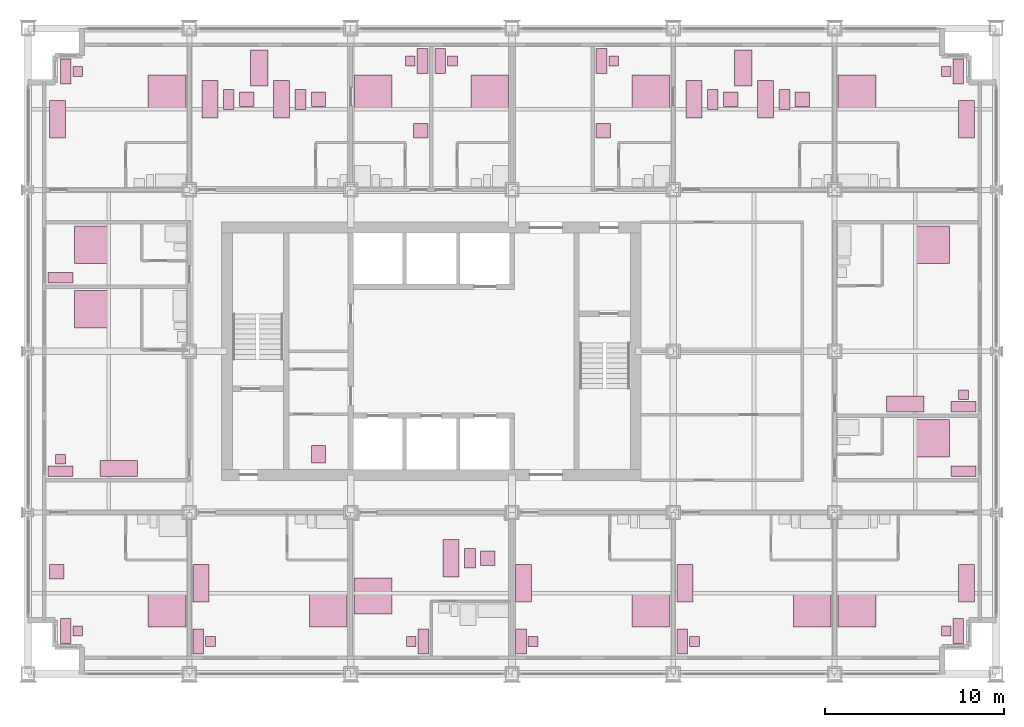
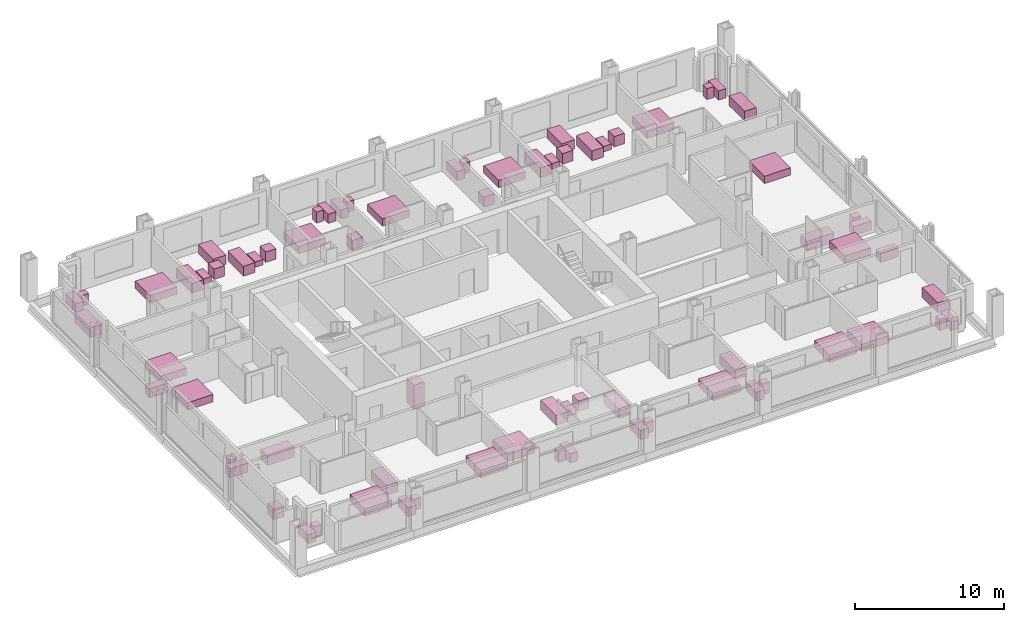
# One storey, part 18 of 18: 72 furniture elements.
"""IFC4 building model written with IfcOpenShell, lengths in metres."""

from ifc_helpers import new_model, si_unit, direction, frame, origin, origin_2d, place, context, subcontext, project, spatial, rectangle, extrude, element, save


model = new_model("IFC4")

# Units and contexts
model_context = context("Model", 3, precision=1e-05, world=origin(), true_north=direction((0.0, 1.0)))
body_context = subcontext(model_context, "Body", "Model", "MODEL_VIEW")
ifc_project = project(units=[si_unit("LENGTHUNIT", "METRE"), si_unit("AREAUNIT", "SQUARE_METRE"), si_unit("VOLUMEUNIT", "CUBIC_METRE"), si_unit("PLANEANGLEUNIT", "RADIAN"), si_unit("MASSUNIT", "GRAM", prefix="KILO")], contexts=[model_context])

# Site, building, storey
site_placement = place(None, origin())
site = spatial("IfcSite", under=ifc_project, at=site_placement, CompositionType="ELEMENT")
building_placement = place(site_placement, origin())
building = spatial("IfcBuilding", under=site, at=building_placement, Name="Loomwork Tower", CompositionType="ELEMENT")
storey_placement = place(building_placement, frame((0.0, 0.0, 48.39990234375)))
storey = spatial("IfcBuildingStorey", under=building, at=storey_placement, Name="L11", CompositionType="ELEMENT", Elevation=48.39990234375)

# Furniture
furniture_1_placement = place(storey_placement, frame((7.75, 3.60009765625, 0.0), z_axis=(0.0, 0.0, 1.0), x_axis=(1.0, 0.0, 0.0)))
element("IfcFurniture", 1, at=furniture_1_placement, inside=storey, Name="King bed L11", PredefinedType="BED", context=body_context, shape_type="SweptSolid", body=[
    extrude(rectangle(XDim=2.10009765625, YDim=2.0, at=origin_2d()), origin(), (0.0, 0.0, 1.0), 0.60009765625),
])
furniture_2_placement = place(storey_placement, frame((2.10009765625, 2.39990234375, 0.0), z_axis=(0.0, 0.0, 1.0), x_axis=(1.0, 0.0, 0.0)))
element("IfcFurniture", 2, at=furniture_2_placement, inside=storey, Name="Writing desk L11", PredefinedType="DESK", context=body_context, shape_type="SweptSolid", body=[
    extrude(rectangle(XDim=0.60009765625, YDim=1.39990234375, at=origin_2d()), origin(), (0.0, 0.0, 1.0), 0.75),
])
furniture_3_placement = place(storey_placement, frame((2.77490234375, 2.39990234375, 0.000244140625), z_axis=(0.0, 0.0, 1.0), x_axis=(1.0, 0.0, 0.0)))
element("IfcFurniture", 3, at=furniture_3_placement, inside=storey, Name="Desk chair L11", PredefinedType="CHAIR", context=body_context, shape_type="SweptSolid", body=[
    extrude(rectangle(XDim=0.550048828125, YDim=0.550048828125, at=origin_2d()), origin(), (0.0, 0.0, 1.0), 0.89990234375),
])
furniture_4_placement = place(storey_placement, frame((1.60009765625, 5.699951171875, 0.0), z_axis=(0.0, 0.0, 1.0), x_axis=(1.0, 0.0, 0.0)))
element("IfcFurniture", 4, at=furniture_4_placement, inside=storey, Name="Lounge armchair L11", PredefinedType="CHAIR", context=body_context, shape_type="SweptSolid", body=[
    extrude(rectangle(XDim=0.800048828125, YDim=0.800048828125, at=origin_2d()), origin(), (0.0, 0.0, 1.0), 0.85009765625),
])
furniture_5_placement = place(storey_placement, frame((16.75, 3.60009765625, 0.0), z_axis=(0.0, 0.0, 1.0), x_axis=(1.0, 0.0, 0.0)))
element("IfcFurniture", 5, at=furniture_5_placement, inside=storey, Name="King bed L11", PredefinedType="BED", context=body_context, shape_type="SweptSolid", body=[
    extrude(rectangle(XDim=2.10009765625, YDim=2.0, at=origin_2d()), origin(), (0.0, 0.0, 1.0), 0.60009765625),
])
furniture_6_placement = place(storey_placement, frame((9.5, 1.800048828125, 0.0), z_axis=(0.0, 0.0, 1.0), x_axis=(1.0, 0.0, 0.0)))
element("IfcFurniture", 6, at=furniture_6_placement, inside=storey, Name="Writing desk L11", PredefinedType="DESK", context=body_context, shape_type="SweptSolid", body=[
    extrude(rectangle(XDim=0.60009765625, YDim=1.39990234375, at=origin_2d()), origin(), (0.0, 0.0, 1.0), 0.75),
])
furniture_7_placement = place(storey_placement, frame((10.175048828125, 1.800048828125, 0.000244140625), z_axis=(0.0, 0.0, 1.0), x_axis=(1.0, 0.0, 0.0)))
element("IfcFurniture", 7, at=furniture_7_placement, inside=storey, Name="Desk chair L11", PredefinedType="CHAIR", context=body_context, shape_type="SweptSolid", body=[
    extrude(rectangle(XDim=0.550048828125, YDim=0.550048828125, at=origin_2d()), origin(), (0.0, 0.0, 1.0), 0.89990234375),
])
furniture_8_placement = place(storey_placement, frame((9.64990234375, 5.050048828125, 0.0), z_axis=(0.0, 0.0, 1.0), x_axis=(1.0, 0.0, 0.0)))
element("IfcFurniture", 8, at=furniture_8_placement, inside=storey, Name="Sofa L11", PredefinedType="SOFA", context=body_context, shape_type="SweptSolid", body=[
    extrude(rectangle(XDim=0.89990234375, YDim=2.10009765625, at=origin_2d()), origin(), (0.0, 0.0, 1.0), 0.800048828125),
])
furniture_9_placement = place(storey_placement, frame((19.25, 4.35009765625, 0.0), z_axis=(0.0, 0.0, 1.0), x_axis=(1.0, 0.0, 0.0)))
element("IfcFurniture", 9, at=furniture_9_placement, inside=storey, Name="King bed L11", PredefinedType="BED", context=body_context, shape_type="SweptSolid", body=[
    extrude(rectangle(XDim=2.10009765625, YDim=2.0, at=origin_2d()), origin(), (0.0, 0.0, 1.0), 0.60009765625),
])
furniture_10_placement = place(storey_placement, frame((22.050048828125, 1.800048828125, 0.0), z_axis=(0.0, 0.0, 1.0), x_axis=(1.0, 0.0, 0.0)))
element("IfcFurniture", 10, at=furniture_10_placement, inside=storey, Name="Writing desk L11", PredefinedType="DESK", context=body_context, shape_type="SweptSolid", body=[
    extrude(rectangle(XDim=0.60009765625, YDim=1.39990234375, at=origin_2d()), origin(), (0.0, 0.0, 1.0), 0.75),
])
furniture_11_placement = place(storey_placement, frame((21.375, 1.800048828125, 0.000244140625), z_axis=(0.0, 0.0, 1.0), x_axis=(1.0, 0.0, 0.0)))
element("IfcFurniture", 11, at=furniture_11_placement, inside=storey, Name="Desk chair L11", PredefinedType="CHAIR", context=body_context, shape_type="SweptSolid", body=[
    extrude(rectangle(XDim=0.550048828125, YDim=0.550048828125, at=origin_2d()), origin(), (0.0, 0.0, 1.0), 0.89990234375),
])
furniture_12_placement = place(storey_placement, frame((23.60009765625, 6.449951171875, 0.0), z_axis=(0.0, 0.0, 1.0), x_axis=(1.0, 0.0, 0.0)))
element("IfcFurniture", 12, at=furniture_12_placement, inside=storey, Name="Sofa L11", PredefinedType="SOFA", context=body_context, shape_type="SweptSolid", body=[
    extrude(rectangle(XDim=0.89990234375, YDim=2.10009765625, at=origin_2d()), origin(), (0.0, 0.0, 1.0), 0.800048828125),
])
furniture_13_placement = place(storey_placement, frame((24.64990234375, 6.449951171875, 0.0), z_axis=(0.0, 0.0, 1.0), x_axis=(1.0, 0.0, 0.0)))
element("IfcFurniture", 13, at=furniture_13_placement, inside=storey, Name="Coffee table L11", PredefinedType="TABLE", context=body_context, shape_type="SweptSolid", body=[
    extrude(rectangle(XDim=0.60009765625, YDim=1.10009765625, at=origin_2d()), origin(), (0.0, 0.0, 1.0), 0.449951171875),
])
furniture_14_placement = place(storey_placement, frame((25.64990234375, 6.449951171875, 0.0), z_axis=(0.0, 0.0, 1.0), x_axis=(1.0, 0.0, 0.0)))
element("IfcFurniture", 14, at=furniture_14_placement, inside=storey, Name="Lounge armchair L11", PredefinedType="CHAIR", context=body_context, shape_type="SweptSolid", body=[
    extrude(rectangle(XDim=0.800048828125, YDim=0.800048828125, at=origin_2d()), origin(), (0.0, 0.0, 1.0), 0.85009765625),
])
furniture_15_placement = place(storey_placement, frame((34.75, 3.60009765625, 0.0), z_axis=(0.0, 0.0, 1.0), x_axis=(1.0, 0.0, 0.0)))
element("IfcFurniture", 15, at=furniture_15_placement, inside=storey, Name="King bed L11", PredefinedType="BED", context=body_context, shape_type="SweptSolid", body=[
    extrude(rectangle(XDim=2.10009765625, YDim=2.0, at=origin_2d()), origin(), (0.0, 0.0, 1.0), 0.60009765625),
])
furniture_16_placement = place(storey_placement, frame((27.5, 1.800048828125, 0.0), z_axis=(0.0, 0.0, 1.0), x_axis=(1.0, 0.0, 0.0)))
element("IfcFurniture", 16, at=furniture_16_placement, inside=storey, Name="Writing desk L11", PredefinedType="DESK", context=body_context, shape_type="SweptSolid", body=[
    extrude(rectangle(XDim=0.60009765625, YDim=1.39990234375, at=origin_2d()), origin(), (0.0, 0.0, 1.0), 0.75),
])
furniture_17_placement = place(storey_placement, frame((28.175048828125, 1.800048828125, 0.000244140625), z_axis=(0.0, 0.0, 1.0), x_axis=(1.0, 0.0, 0.0)))
element("IfcFurniture", 17, at=furniture_17_placement, inside=storey, Name="Desk chair L11", PredefinedType="CHAIR", context=body_context, shape_type="SweptSolid", body=[
    extrude(rectangle(XDim=0.550048828125, YDim=0.550048828125, at=origin_2d()), origin(), (0.0, 0.0, 1.0), 0.89990234375),
])
furniture_18_placement = place(storey_placement, frame((27.64990234375, 5.050048828125, 0.0), z_axis=(0.0, 0.0, 1.0), x_axis=(1.0, 0.0, 0.0)))
element("IfcFurniture", 18, at=furniture_18_placement, inside=storey, Name="Sofa L11", PredefinedType="SOFA", context=body_context, shape_type="SweptSolid", body=[
    extrude(rectangle(XDim=0.89990234375, YDim=2.10009765625, at=origin_2d()), origin(), (0.0, 0.0, 1.0), 0.800048828125),
])
furniture_19_placement = place(storey_placement, frame((43.75, 3.60009765625, 0.0), z_axis=(0.0, 0.0, 1.0), x_axis=(1.0, 0.0, 0.0)))
element("IfcFurniture", 19, at=furniture_19_placement, inside=storey, Name="King bed L11", PredefinedType="BED", context=body_context, shape_type="SweptSolid", body=[
    extrude(rectangle(XDim=2.10009765625, YDim=2.0, at=origin_2d()), origin(), (0.0, 0.0, 1.0), 0.60009765625),
])
furniture_20_placement = place(storey_placement, frame((36.5, 1.800048828125, 0.0), z_axis=(0.0, 0.0, 1.0), x_axis=(1.0, 0.0, 0.0)))
element("IfcFurniture", 20, at=furniture_20_placement, inside=storey, Name="Writing desk L11", PredefinedType="DESK", context=body_context, shape_type="SweptSolid", body=[
    extrude(rectangle(XDim=0.60009765625, YDim=1.39990234375, at=origin_2d()), origin(), (0.0, 0.0, 1.0), 0.75),
])
furniture_21_placement = place(storey_placement, frame((37.175048828125, 1.800048828125, 0.000244140625), z_axis=(0.0, 0.0, 1.0), x_axis=(1.0, 0.0, 0.0)))
element("IfcFurniture", 21, at=furniture_21_placement, inside=storey, Name="Desk chair L11", PredefinedType="CHAIR", context=body_context, shape_type="SweptSolid", body=[
    extrude(rectangle(XDim=0.550048828125, YDim=0.550048828125, at=origin_2d()), origin(), (0.0, 0.0, 1.0), 0.89990234375),
])
furniture_22_placement = place(storey_placement, frame((36.64990234375, 5.050048828125, 0.0), z_axis=(0.0, 0.0, 1.0), x_axis=(1.0, 0.0, 0.0)))
element("IfcFurniture", 22, at=furniture_22_placement, inside=storey, Name="Sofa L11", PredefinedType="SOFA", context=body_context, shape_type="SweptSolid", body=[
    extrude(rectangle(XDim=0.89990234375, YDim=2.10009765625, at=origin_2d()), origin(), (0.0, 0.0, 1.0), 0.800048828125),
])
furniture_23_placement = place(storey_placement, frame((46.25, 3.60009765625, 0.0), z_axis=(0.0, 0.0, 1.0), x_axis=(1.0, 0.0, 0.0)))
element("IfcFurniture", 23, at=furniture_23_placement, inside=storey, Name="King bed L11", PredefinedType="BED", context=body_context, shape_type="SweptSolid", body=[
    extrude(rectangle(XDim=2.10009765625, YDim=2.0, at=origin_2d()), origin(), (0.0, 0.0, 1.0), 0.60009765625),
])
furniture_24_placement = place(storey_placement, frame((51.89990234375, 2.39990234375, 0.0), z_axis=(0.0, 0.0, 1.0), x_axis=(1.0, 0.0, 0.0)))
element("IfcFurniture", 24, at=furniture_24_placement, inside=storey, Name="Writing desk L11", PredefinedType="DESK", context=body_context, shape_type="SweptSolid", body=[
    extrude(rectangle(XDim=0.60009765625, YDim=1.39990234375, at=origin_2d()), origin(), (0.0, 0.0, 1.0), 0.75),
])
furniture_25_placement = place(storey_placement, frame((51.22509765625, 2.39990234375, 0.000244140625), z_axis=(0.0, 0.0, 1.0), x_axis=(1.0, 0.0, 0.0)))
element("IfcFurniture", 25, at=furniture_25_placement, inside=storey, Name="Desk chair L11", PredefinedType="CHAIR", context=body_context, shape_type="SweptSolid", body=[
    extrude(rectangle(XDim=0.550048828125, YDim=0.550048828125, at=origin_2d()), origin(), (0.0, 0.0, 1.0), 0.89990234375),
])
furniture_26_placement = place(storey_placement, frame((52.35009765625, 5.050048828125, 0.0), z_axis=(0.0, 0.0, 1.0), x_axis=(1.0, 0.0, 0.0)))
element("IfcFurniture", 26, at=furniture_26_placement, inside=storey, Name="Sofa L11", PredefinedType="SOFA", context=body_context, shape_type="SweptSolid", body=[
    extrude(rectangle(XDim=0.89990234375, YDim=2.10009765625, at=origin_2d()), origin(), (0.0, 0.0, 1.0), 0.800048828125),
])
furniture_27_placement = place(storey_placement, frame((7.75, 32.39990234375, 0.0), z_axis=(0.0, 0.0, 1.0), x_axis=(1.0, 0.0, 0.0)))
element("IfcFurniture", 27, at=furniture_27_placement, inside=storey, Name="King bed L11", PredefinedType="BED", context=body_context, shape_type="SweptSolid", body=[
    extrude(rectangle(XDim=2.10009765625, YDim=2.0, at=origin_2d()), origin(), (0.0, 0.0, 1.0), 0.60009765625),
])
furniture_28_placement = place(storey_placement, frame((2.10009765625, 33.60009765625, 0.0), z_axis=(0.0, 0.0, 1.0), x_axis=(1.0, 0.0, 0.0)))
element("IfcFurniture", 28, at=furniture_28_placement, inside=storey, Name="Writing desk L11", PredefinedType="DESK", context=body_context, shape_type="SweptSolid", body=[
    extrude(rectangle(XDim=0.60009765625, YDim=1.39990234375, at=origin_2d()), origin(), (0.0, 0.0, 1.0), 0.75),
])
furniture_29_placement = place(storey_placement, frame((2.77490234375, 33.60009765625, 0.000244140625), z_axis=(0.0, 0.0, 1.0), x_axis=(1.0, 0.0, 0.0)))
element("IfcFurniture", 29, at=furniture_29_placement, inside=storey, Name="Desk chair L11", PredefinedType="CHAIR", context=body_context, shape_type="SweptSolid", body=[
    extrude(rectangle(XDim=0.550048828125, YDim=0.550048828125, at=origin_2d()), origin(), (0.0, 0.0, 1.0), 0.89990234375),
])
for number, where, z_axis, x_axis, name in (
    (30, (1.64990234375, 30.949951171875, 0.0), (0.0, 0.0, 1.0), (1.0, 0.0, 0.0), "Sofa L11"),
    (31, (10.14990234375, 32.050048828125, 0.0), (0.0, 0.0, 1.0), (1.0, 0.0, 0.0), "Sofa L11"),
):
    element("IfcFurniture", number, at=place(storey_placement, frame(where, z_axis=z_axis, x_axis=x_axis)), inside=storey, Name=name, PredefinedType="SOFA", context=body_context, shape_type="SweptSolid", body=[
        extrude(rectangle(XDim=0.89990234375, YDim=2.10009765625, at=origin_2d()), origin(), (0.0, 0.0, 1.0), 0.800048828125),
    ])
furniture_30_placement = place(storey_placement, frame((11.199951171875, 32.050048828125, 0.0), z_axis=(0.0, 0.0, 1.0), x_axis=(1.0, 0.0, 0.0)))
element("IfcFurniture", 32, at=furniture_30_placement, inside=storey, Name="Coffee table L11", PredefinedType="TABLE", context=body_context, shape_type="SweptSolid", body=[
    extrude(rectangle(XDim=0.60009765625, YDim=1.10009765625, at=origin_2d()), origin(), (0.0, 0.0, 1.0), 0.449951171875),
])
furniture_31_placement = place(storey_placement, frame((12.199951171875, 32.050048828125, 0.0), z_axis=(0.0, 0.0, 1.0), x_axis=(1.0, 0.0, 0.0)))
element("IfcFurniture", 33, at=furniture_31_placement, inside=storey, Name="Lounge armchair L11", PredefinedType="CHAIR", context=body_context, shape_type="SweptSolid", body=[
    extrude(rectangle(XDim=0.800048828125, YDim=0.800048828125, at=origin_2d()), origin(), (0.0, 0.0, 1.0), 0.85009765625),
])
furniture_32_placement = place(storey_placement, frame((14.14990234375, 32.050048828125, 0.0), z_axis=(0.0, 0.0, 1.0), x_axis=(1.0, 0.0, 0.0)))
element("IfcFurniture", 34, at=furniture_32_placement, inside=storey, Name="Sofa L11", PredefinedType="SOFA", context=body_context, shape_type="SweptSolid", body=[
    extrude(rectangle(XDim=0.89990234375, YDim=2.10009765625, at=origin_2d()), origin(), (0.0, 0.0, 1.0), 0.800048828125),
])
furniture_33_placement = place(storey_placement, frame((15.199951171875, 32.050048828125, 0.0), z_axis=(0.0, 0.0, 1.0), x_axis=(1.0, 0.0, 0.0)))
element("IfcFurniture", 35, at=furniture_33_placement, inside=storey, Name="Coffee table L11", PredefinedType="TABLE", context=body_context, shape_type="SweptSolid", body=[
    extrude(rectangle(XDim=0.60009765625, YDim=1.10009765625, at=origin_2d()), origin(), (0.0, 0.0, 1.0), 0.449951171875),
])
furniture_34_placement = place(storey_placement, frame((16.199951171875, 32.050048828125, 0.0), z_axis=(0.0, 0.0, 1.0), x_axis=(1.0, 0.0, 0.0)))
element("IfcFurniture", 36, at=furniture_34_placement, inside=storey, Name="Lounge armchair L11", PredefinedType="CHAIR", context=body_context, shape_type="SweptSolid", body=[
    extrude(rectangle(XDim=0.800048828125, YDim=0.800048828125, at=origin_2d()), origin(), (0.0, 0.0, 1.0), 0.85009765625),
])
furniture_35_placement = place(storey_placement, frame((12.89990234375, 33.800048828125, 0.0), z_axis=(0.0, 0.0, 1.0), x_axis=(1.0, 0.0, 0.0)))
element("IfcFurniture", 37, at=furniture_35_placement, inside=storey, Name="Dining table L11", PredefinedType="TABLE", context=body_context, shape_type="SweptSolid", body=[
    extrude(rectangle(XDim=1.0, YDim=2.0, at=origin_2d()), origin(), (0.0, 0.0, 1.0), 0.75),
])
furniture_36_placement = place(storey_placement, frame((19.25, 32.39990234375, 0.0), z_axis=(0.0, 0.0, 1.0), x_axis=(1.0, 0.0, 0.0)))
element("IfcFurniture", 38, at=furniture_36_placement, inside=storey, Name="King bed L11", PredefinedType="BED", context=body_context, shape_type="SweptSolid", body=[
    extrude(rectangle(XDim=2.10009765625, YDim=2.0, at=origin_2d()), origin(), (0.0, 0.0, 1.0), 0.60009765625),
])
furniture_37_placement = place(storey_placement, frame((22.0, 34.199951171875, 0.0), z_axis=(0.0, 0.0, 1.0), x_axis=(1.0, 0.0, 0.0)))
element("IfcFurniture", 39, at=furniture_37_placement, inside=storey, Name="Writing desk L11", PredefinedType="DESK", context=body_context, shape_type="SweptSolid", body=[
    extrude(rectangle(XDim=0.60009765625, YDim=1.39990234375, at=origin_2d()), origin(), (0.0, 0.0, 1.0), 0.75),
])
furniture_38_placement = place(storey_placement, frame((21.324951171875, 34.199951171875, 0.000244140625), z_axis=(0.0, 0.0, 1.0), x_axis=(1.0, 0.0, 0.0)))
element("IfcFurniture", 40, at=furniture_38_placement, inside=storey, Name="Desk chair L11", PredefinedType="CHAIR", context=body_context, shape_type="SweptSolid", body=[
    extrude(rectangle(XDim=0.550048828125, YDim=0.550048828125, at=origin_2d()), origin(), (0.0, 0.0, 1.0), 0.89990234375),
])
furniture_39_placement = place(storey_placement, frame((21.89990234375, 30.300048828125, 0.0), z_axis=(0.0, 0.0, 1.0), x_axis=(1.0, 0.0, 0.0)))
element("IfcFurniture", 41, at=furniture_39_placement, inside=storey, Name="Lounge armchair L11", PredefinedType="CHAIR", context=body_context, shape_type="SweptSolid", body=[
    extrude(rectangle(XDim=0.800048828125, YDim=0.800048828125, at=origin_2d()), origin(), (0.0, 0.0, 1.0), 0.85009765625),
])
furniture_40_placement = place(storey_placement, frame((25.75, 32.39990234375, 0.0), z_axis=(0.0, 0.0, 1.0), x_axis=(1.0, 0.0, 0.0)))
element("IfcFurniture", 42, at=furniture_40_placement, inside=storey, Name="King bed L11", PredefinedType="BED", context=body_context, shape_type="SweptSolid", body=[
    extrude(rectangle(XDim=2.10009765625, YDim=2.0, at=origin_2d()), origin(), (0.0, 0.0, 1.0), 0.60009765625),
])
furniture_41_placement = place(storey_placement, frame((23.0, 34.199951171875, 0.0), z_axis=(0.0, 0.0, 1.0), x_axis=(1.0, 0.0, 0.0)))
element("IfcFurniture", 43, at=furniture_41_placement, inside=storey, Name="Writing desk L11", PredefinedType="DESK", context=body_context, shape_type="SweptSolid", body=[
    extrude(rectangle(XDim=0.60009765625, YDim=1.39990234375, at=origin_2d()), origin(), (0.0, 0.0, 1.0), 0.75),
])
furniture_42_placement = place(storey_placement, frame((23.675048828125, 34.199951171875, 0.000244140625), z_axis=(0.0, 0.0, 1.0), x_axis=(1.0, 0.0, 0.0)))
element("IfcFurniture", 44, at=furniture_42_placement, inside=storey, Name="Desk chair L11", PredefinedType="CHAIR", context=body_context, shape_type="SweptSolid", body=[
    extrude(rectangle(XDim=0.550048828125, YDim=0.550048828125, at=origin_2d()), origin(), (0.0, 0.0, 1.0), 0.89990234375),
])
furniture_43_placement = place(storey_placement, frame((34.75, 32.39990234375, 0.0), z_axis=(0.0, 0.0, 1.0), x_axis=(1.0, 0.0, 0.0)))
element("IfcFurniture", 45, at=furniture_43_placement, inside=storey, Name="King bed L11", PredefinedType="BED", context=body_context, shape_type="SweptSolid", body=[
    extrude(rectangle(XDim=2.10009765625, YDim=2.0, at=origin_2d()), origin(), (0.0, 0.0, 1.0), 0.60009765625),
])
furniture_44_placement = place(storey_placement, frame((32.0, 34.199951171875, 0.0), z_axis=(0.0, 0.0, 1.0), x_axis=(1.0, 0.0, 0.0)))
element("IfcFurniture", 46, at=furniture_44_placement, inside=storey, Name="Writing desk L11", PredefinedType="DESK", context=body_context, shape_type="SweptSolid", body=[
    extrude(rectangle(XDim=0.60009765625, YDim=1.39990234375, at=origin_2d()), origin(), (0.0, 0.0, 1.0), 0.75),
])
furniture_45_placement = place(storey_placement, frame((32.675048828125, 34.199951171875, 0.000244140625), z_axis=(0.0, 0.0, 1.0), x_axis=(1.0, 0.0, 0.0)))
element("IfcFurniture", 47, at=furniture_45_placement, inside=storey, Name="Desk chair L11", PredefinedType="CHAIR", context=body_context, shape_type="SweptSolid", body=[
    extrude(rectangle(XDim=0.550048828125, YDim=0.550048828125, at=origin_2d()), origin(), (0.0, 0.0, 1.0), 0.89990234375),
])
furniture_46_placement = place(storey_placement, frame((32.10009765625, 30.300048828125, 0.0), z_axis=(0.0, 0.0, 1.0), x_axis=(1.0, 0.0, 0.0)))
element("IfcFurniture", 48, at=furniture_46_placement, inside=storey, Name="Lounge armchair L11", PredefinedType="CHAIR", context=body_context, shape_type="SweptSolid", body=[
    extrude(rectangle(XDim=0.800048828125, YDim=0.800048828125, at=origin_2d()), origin(), (0.0, 0.0, 1.0), 0.85009765625),
])
furniture_47_placement = place(storey_placement, frame((37.14990234375, 32.050048828125, 0.0), z_axis=(0.0, 0.0, 1.0), x_axis=(1.0, 0.0, 0.0)))
element("IfcFurniture", 49, at=furniture_47_placement, inside=storey, Name="Sofa L11", PredefinedType="SOFA", context=body_context, shape_type="SweptSolid", body=[
    extrude(rectangle(XDim=0.89990234375, YDim=2.10009765625, at=origin_2d()), origin(), (0.0, 0.0, 1.0), 0.800048828125),
])
furniture_48_placement = place(storey_placement, frame((38.199951171875, 32.050048828125, 0.0), z_axis=(0.0, 0.0, 1.0), x_axis=(1.0, 0.0, 0.0)))
element("IfcFurniture", 50, at=furniture_48_placement, inside=storey, Name="Coffee table L11", PredefinedType="TABLE", context=body_context, shape_type="SweptSolid", body=[
    extrude(rectangle(XDim=0.60009765625, YDim=1.10009765625, at=origin_2d()), origin(), (0.0, 0.0, 1.0), 0.449951171875),
])
furniture_49_placement = place(storey_placement, frame((39.199951171875, 32.050048828125, 0.0), z_axis=(0.0, 0.0, 1.0), x_axis=(1.0, 0.0, 0.0)))
element("IfcFurniture", 51, at=furniture_49_placement, inside=storey, Name="Lounge armchair L11", PredefinedType="CHAIR", context=body_context, shape_type="SweptSolid", body=[
    extrude(rectangle(XDim=0.800048828125, YDim=0.800048828125, at=origin_2d()), origin(), (0.0, 0.0, 1.0), 0.85009765625),
])
furniture_50_placement = place(storey_placement, frame((41.14990234375, 32.050048828125, 0.0), z_axis=(0.0, 0.0, 1.0), x_axis=(1.0, 0.0, 0.0)))
element("IfcFurniture", 52, at=furniture_50_placement, inside=storey, Name="Sofa L11", PredefinedType="SOFA", context=body_context, shape_type="SweptSolid", body=[
    extrude(rectangle(XDim=0.89990234375, YDim=2.10009765625, at=origin_2d()), origin(), (0.0, 0.0, 1.0), 0.800048828125),
])
furniture_51_placement = place(storey_placement, frame((42.199951171875, 32.050048828125, 0.0), z_axis=(0.0, 0.0, 1.0), x_axis=(1.0, 0.0, 0.0)))
element("IfcFurniture", 53, at=furniture_51_placement, inside=storey, Name="Coffee table L11", PredefinedType="TABLE", context=body_context, shape_type="SweptSolid", body=[
    extrude(rectangle(XDim=0.60009765625, YDim=1.10009765625, at=origin_2d()), origin(), (0.0, 0.0, 1.0), 0.449951171875),
])
furniture_52_placement = place(storey_placement, frame((43.199951171875, 32.050048828125, 0.0), z_axis=(0.0, 0.0, 1.0), x_axis=(1.0, 0.0, 0.0)))
element("IfcFurniture", 54, at=furniture_52_placement, inside=storey, Name="Lounge armchair L11", PredefinedType="CHAIR", context=body_context, shape_type="SweptSolid", body=[
    extrude(rectangle(XDim=0.800048828125, YDim=0.800048828125, at=origin_2d()), origin(), (0.0, 0.0, 1.0), 0.85009765625),
])
furniture_53_placement = place(storey_placement, frame((39.89990234375, 33.800048828125, 0.0), z_axis=(0.0, 0.0, 1.0), x_axis=(1.0, 0.0, 0.0)))
element("IfcFurniture", 55, at=furniture_53_placement, inside=storey, Name="Dining table L11", PredefinedType="TABLE", context=body_context, shape_type="SweptSolid", body=[
    extrude(rectangle(XDim=1.0, YDim=2.0, at=origin_2d()), origin(), (0.0, 0.0, 1.0), 0.75),
])
furniture_54_placement = place(storey_placement, frame((46.25, 32.39990234375, 0.0), z_axis=(0.0, 0.0, 1.0), x_axis=(1.0, 0.0, 0.0)))
element("IfcFurniture", 56, at=furniture_54_placement, inside=storey, Name="King bed L11", PredefinedType="BED", context=body_context, shape_type="SweptSolid", body=[
    extrude(rectangle(XDim=2.10009765625, YDim=2.0, at=origin_2d()), origin(), (0.0, 0.0, 1.0), 0.60009765625),
])
furniture_55_placement = place(storey_placement, frame((51.89990234375, 33.60009765625, 0.0), z_axis=(0.0, 0.0, 1.0), x_axis=(1.0, 0.0, 0.0)))
element("IfcFurniture", 57, at=furniture_55_placement, inside=storey, Name="Writing desk L11", PredefinedType="DESK", context=body_context, shape_type="SweptSolid", body=[
    extrude(rectangle(XDim=0.60009765625, YDim=1.39990234375, at=origin_2d()), origin(), (0.0, 0.0, 1.0), 0.75),
])
furniture_56_placement = place(storey_placement, frame((51.22509765625, 33.60009765625, 0.000244140625), z_axis=(0.0, 0.0, 1.0), x_axis=(1.0, 0.0, 0.0)))
element("IfcFurniture", 58, at=furniture_56_placement, inside=storey, Name="Desk chair L11", PredefinedType="CHAIR", context=body_context, shape_type="SweptSolid", body=[
    extrude(rectangle(XDim=0.550048828125, YDim=0.550048828125, at=origin_2d()), origin(), (0.0, 0.0, 1.0), 0.89990234375),
])
furniture_57_placement = place(storey_placement, frame((52.35009765625, 30.949951171875, 0.0), z_axis=(0.0, 0.0, 1.0), x_axis=(1.0, 0.0, 0.0)))
element("IfcFurniture", 59, at=furniture_57_placement, inside=storey, Name="Sofa L11", PredefinedType="SOFA", context=body_context, shape_type="SweptSolid", body=[
    extrude(rectangle(XDim=0.89990234375, YDim=2.10009765625, at=origin_2d()), origin(), (0.0, 0.0, 1.0), 0.800048828125),
])
furniture_58_placement = place(storey_placement, frame((3.60009765625, 20.35009765625, 0.0), z_axis=(0.0, 0.0, 1.0), x_axis=(1.0, 0.0, 0.0)))
element("IfcFurniture", 60, at=furniture_58_placement, inside=storey, Name="King bed L11", PredefinedType="BED", context=body_context, shape_type="SweptSolid", body=[
    extrude(rectangle(XDim=2.0, YDim=2.10009765625, at=origin_2d()), origin(), (0.0, 0.0, 1.0), 0.60009765625),
])
furniture_59_placement = place(storey_placement, frame((1.800048828125, 11.300048828125, 0.0), z_axis=(0.0, 0.0, 1.0), x_axis=(1.0, 0.0, 0.0)))
element("IfcFurniture", 61, at=furniture_59_placement, inside=storey, Name="Writing desk L11", PredefinedType="DESK", context=body_context, shape_type="SweptSolid", body=[
    extrude(rectangle(XDim=1.39990234375, YDim=0.60009765625, at=origin_2d()), origin(), (0.0, 0.0, 1.0), 0.75),
])
furniture_60_placement = place(storey_placement, frame((1.800048828125, 11.97509765625, 0.000244140625), z_axis=(0.0, 0.0, 1.0), x_axis=(1.0, 0.0, 0.0)))
element("IfcFurniture", 62, at=furniture_60_placement, inside=storey, Name="Desk chair L11", PredefinedType="CHAIR", context=body_context, shape_type="SweptSolid", body=[
    extrude(rectangle(XDim=0.550048828125, YDim=0.550048828125, at=origin_2d()), origin(), (0.0, 0.0, 1.0), 0.89990234375),
])
furniture_61_placement = place(storey_placement, frame((5.050048828125, 11.449951171875, 0.0), z_axis=(0.0, 0.0, 1.0), x_axis=(1.0, 0.0, 0.0)))
element("IfcFurniture", 63, at=furniture_61_placement, inside=storey, Name="Sofa L11", PredefinedType="SOFA", context=body_context, shape_type="SweptSolid", body=[
    extrude(rectangle(XDim=2.10009765625, YDim=0.89990234375, at=origin_2d()), origin(), (0.0, 0.0, 1.0), 0.800048828125),
])
furniture_62_placement = place(storey_placement, frame((3.60009765625, 23.949951171875, 0.0), z_axis=(0.0, 0.0, 1.0), x_axis=(1.0, 0.0, 0.0)))
element("IfcFurniture", 64, at=furniture_62_placement, inside=storey, Name="King bed L11", PredefinedType="BED", context=body_context, shape_type="SweptSolid", body=[
    extrude(rectangle(XDim=2.0, YDim=2.10009765625, at=origin_2d()), origin(), (0.0, 0.0, 1.0), 0.60009765625),
])
furniture_63_placement = place(storey_placement, frame((1.800048828125, 22.10009765625, 0.0), z_axis=(0.0, 0.0, 1.0), x_axis=(1.0, 0.0, 0.0)))
element("IfcFurniture", 65, at=furniture_63_placement, inside=storey, Name="Writing desk L11", PredefinedType="DESK", context=body_context, shape_type="SweptSolid", body=[
    extrude(rectangle(XDim=1.39990234375, YDim=0.60009765625, at=origin_2d()), origin(), (0.0, 0.0, 1.0), 0.75),
])
furniture_64_placement = place(storey_placement, frame((50.39990234375, 13.14990234375, 0.0), z_axis=(0.0, 0.0, 1.0), x_axis=(1.0, 0.0, 0.0)))
element("IfcFurniture", 66, at=furniture_64_placement, inside=storey, Name="King bed L11", PredefinedType="BED", context=body_context, shape_type="SweptSolid", body=[
    extrude(rectangle(XDim=2.0, YDim=2.10009765625, at=origin_2d()), origin(), (0.0, 0.0, 1.0), 0.60009765625),
])
furniture_65_placement = place(storey_placement, frame((52.199951171875, 11.300048828125, 0.0), z_axis=(0.0, 0.0, 1.0), x_axis=(1.0, 0.0, 0.0)))
element("IfcFurniture", 67, at=furniture_65_placement, inside=storey, Name="Writing desk L11", PredefinedType="DESK", context=body_context, shape_type="SweptSolid", body=[
    extrude(rectangle(XDim=1.39990234375, YDim=0.60009765625, at=origin_2d()), origin(), (0.0, 0.0, 1.0), 0.75),
])
furniture_66_placement = place(storey_placement, frame((50.39990234375, 23.949951171875, 0.0), z_axis=(0.0, 0.0, 1.0), x_axis=(1.0, 0.0, 0.0)))
element("IfcFurniture", 68, at=furniture_66_placement, inside=storey, Name="King bed L11", PredefinedType="BED", context=body_context, shape_type="SweptSolid", body=[
    extrude(rectangle(XDim=2.0, YDim=2.10009765625, at=origin_2d()), origin(), (0.0, 0.0, 1.0), 0.60009765625),
])
furniture_67_placement = place(storey_placement, frame((52.199951171875, 14.89990234375, 0.0), z_axis=(0.0, 0.0, 1.0), x_axis=(1.0, 0.0, 0.0)))
element("IfcFurniture", 69, at=furniture_67_placement, inside=storey, Name="Writing desk L11", PredefinedType="DESK", context=body_context, shape_type="SweptSolid", body=[
    extrude(rectangle(XDim=1.39990234375, YDim=0.60009765625, at=origin_2d()), origin(), (0.0, 0.0, 1.0), 0.75),
])
furniture_68_placement = place(storey_placement, frame((52.199951171875, 15.574951171875, 0.000244140625), z_axis=(0.0, 0.0, 1.0), x_axis=(1.0, 0.0, 0.0)))
element("IfcFurniture", 70, at=furniture_68_placement, inside=storey, Name="Desk chair L11", PredefinedType="CHAIR", context=body_context, shape_type="SweptSolid", body=[
    extrude(rectangle(XDim=0.550048828125, YDim=0.550048828125, at=origin_2d()), origin(), (0.0, 0.0, 1.0), 0.89990234375),
])
furniture_69_placement = place(storey_placement, frame((48.949951171875, 15.050048828125, 0.0), z_axis=(0.0, 0.0, 1.0), x_axis=(1.0, 0.0, 0.0)))
element("IfcFurniture", 71, at=furniture_69_placement, inside=storey, Name="Sofa L11", PredefinedType="SOFA", context=body_context, shape_type="SweptSolid", body=[
    extrude(rectangle(XDim=2.10009765625, YDim=0.89990234375, at=origin_2d()), origin(), (0.0, 0.0, 1.0), 0.800048828125),
])
furniture_70_placement = place(storey_placement, frame((16.199951171875, 12.25, 0.0), z_axis=(0.0, 0.0, 1.0), x_axis=(1.0, 0.0, 0.0)))
element("IfcFurniture", 72, at=furniture_70_placement, inside=storey, Name="Data cabinet L11", ObjectType="DATA CABINET", PredefinedType="USERDEFINED", context=body_context, shape_type="SweptSolid", body=[
    extrude(rectangle(XDim=0.800048828125, YDim=1.0, at=origin_2d()), origin(), (0.0, 0.0, 1.0), 2.0),
])

save(model, "model.ifc")
